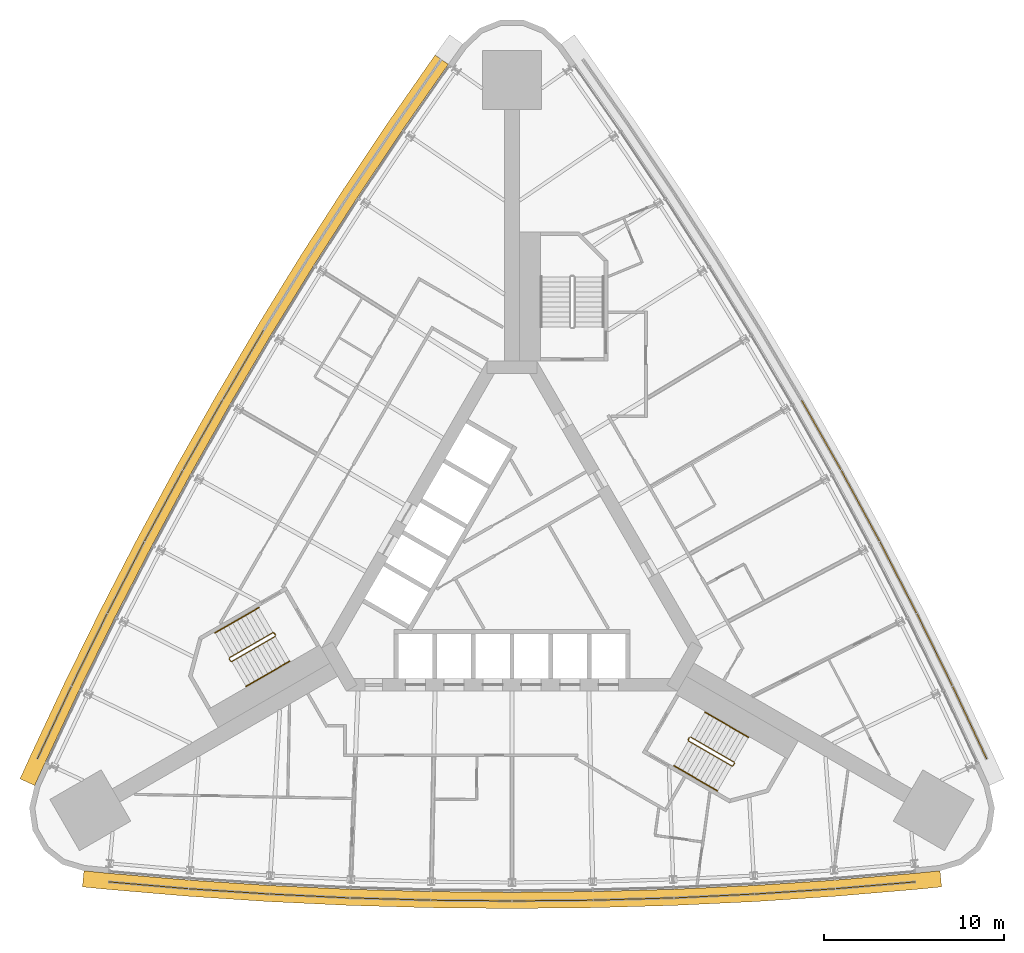
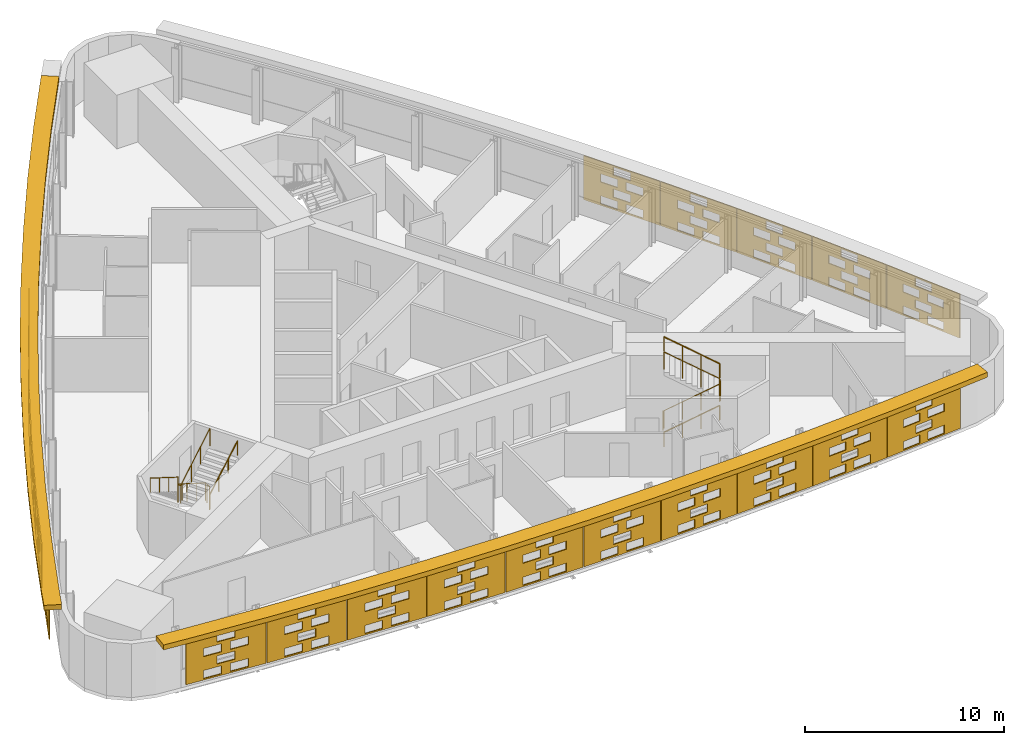
# One storey, part 14 of 15: 23 shading devices, 6 railings.
"""IFC4 building model written with IfcOpenShell, lengths in metres."""

from ifc_helpers import new_model, si_unit, direction, frame, origin, origin_2d, place, context, subcontext, project, spatial, polyline, circle, outline, extrude, material, material_profile, profile_set, type_object, element, save


model = new_model("IFC4")

# Units and contexts
model_context = context("Model", 3, precision=1e-05, world=origin(), true_north=direction((0.0, 1.0)))
body_context = subcontext(model_context, "Body", "Model", "MODEL_VIEW")
ifc_project = project(units=[si_unit("LENGTHUNIT", "METRE"), si_unit("AREAUNIT", "SQUARE_METRE"), si_unit("VOLUMEUNIT", "CUBIC_METRE"), si_unit("PLANEANGLEUNIT", "RADIAN"), si_unit("MASSUNIT", "GRAM", prefix="KILO")], contexts=[model_context])

# Site, building, storey
site_placement = place(None, origin())
site = spatial("IfcSite", under=ifc_project, at=site_placement, CompositionType="ELEMENT")
building_placement = place(site_placement, origin())
building = spatial("IfcBuilding", under=site, at=building_placement, Name="Noor Cloister Tower", CompositionType="ELEMENT")
storey_placement = place(building_placement, frame((0.0, 0.0, 49.199951171875)))
storey = spatial("IfcBuildingStorey", under=building, at=storey_placement, Name="L12", CompositionType="ELEMENT", Elevation=49.199951171875)

# Shading devices
ifc_material_1 = material(Name="Limestone", Category="masonry")
ifc_material_profile = material_profile(ifc_material_1, outline(polyline([(-2.22998046875, -1.35009765625), (2.22998046875, -1.35009765625), (2.22998046875, 1.35009765625), (-2.22998046875, 1.35009765625), (-2.22998046875, -1.35009765625)]), holes=[polyline([(-1.25, -1.263427734375), (-0.25, -1.263427734375), (-0.25, -0.76171875), (-1.25, -0.76171875), (-1.25, -1.263427734375)]), polyline([(0.25, -1.263427734375), (1.25, -1.263427734375), (1.25, -0.76171875), (0.25, -0.76171875), (0.25, -1.263427734375)]), polyline([(-0.5, -0.58837890625), (0.5, -0.58837890625), (0.5, -0.086669921875), (-0.5, -0.086669921875), (-0.5, -0.58837890625)]), polyline([(-1.25, 0.086669921875), (-0.25, 0.086669921875), (-0.25, 0.58837890625), (-1.25, 0.58837890625), (-1.25, 0.086669921875)]), polyline([(0.25, 0.086669921875), (1.25, 0.086669921875), (1.25, 0.58837890625), (0.25, 0.58837890625), (0.25, 0.086669921875)]), polyline([(-0.5, 0.76171875), (0.5, 0.76171875), (0.5, 1.263427734375), (-0.5, 1.263427734375), (-0.5, 0.76171875)])]), Name="Woven screen 25 percent open")
ifc_profile_set = profile_set([ifc_material_profile], Name="Limestone")
shading_device_type_1 = type_object("IfcShadingDeviceType", Name="SCREEN woven limestone 25 percent open", PredefinedType="USERDEFINED", material=ifc_profile_set)
for number, where, z_axis, x_axis, name in (
    (1, (-14.9462890625, 11.232177734375, 1.85009765625), (-0.863187603129, 0.504883315038, 0.0), (-0.504883315038, -0.863187603129, 0.0), "SCREEN L12 5"),
    (2, (-17.200439453125, 7.327880859375, 1.85009765625), (-0.87048706901, 0.492191286683, 0.0), (-0.492191286683, -0.87048706901, 0.0), "SCREEN L12 6"),
    (3, (-19.38037109375, 3.381591796875, 1.85009765625), (-0.879291966537, 0.476283148541, 0.0), (-0.476283148541, -0.879291966537, 0.0), "SCREEN L12 7"),
):
    element("IfcShadingDevice", number, at=place(storey_placement, frame(where, z_axis=z_axis, x_axis=x_axis)), inside=storey, type_object=shading_device_type_1, Name=name, ObjectType="SCREEN", PredefinedType="USERDEFINED", context=body_context, shape_type="SweptSolid", body=[
        extrude(outline(polyline([(-2.22998046875, -1.35009765625), (2.22998046875, -1.35009765625), (2.22998046875, 1.35009765625), (-2.22998046875, 1.35009765625), (-2.22998046875, -1.35009765625)]), holes=[polyline([(-1.25, -1.263427734375), (-0.25, -1.263427734375), (-0.25, -0.76171875), (-1.25, -0.76171875), (-1.25, -1.263427734375)]), polyline([(0.25, -1.263427734375), (1.25, -1.263427734375), (1.25, -0.76171875), (0.25, -0.76171875), (0.25, -1.263427734375)]), polyline([(-0.5, -0.58837890625), (0.5, -0.58837890625), (0.5, -0.086669921875), (-0.5, -0.086669921875), (-0.5, -0.58837890625)]), polyline([(-1.25, 0.086669921875), (-0.25, 0.086669921875), (-0.25, 0.58837890625), (-1.25, 0.58837890625), (-1.25, 0.086669921875)]), polyline([(0.25, 0.086669921875), (1.25, 0.086669921875), (1.25, 0.58837890625), (0.25, 0.58837890625), (0.25, 0.086669921875)]), polyline([(-0.5, 0.76171875), (0.5, 0.76171875), (0.5, 1.263427734375), (-0.5, 1.263427734375), (-0.5, 0.76171875)])]), origin(), (0.0, 0.0, 1.0), 0.06005859375),
    ])
for number, where, z_axis, x_axis, name in (
    (4, (-21.485107421875, -0.60498046875, 1.85009765625), (-0.88947737876, 0.456979203766, 0.0), (-0.456979203766, -0.88947737876, 0.0), "SCREEN L12 8"),
    (5, (-23.51416015625, -4.630859375, 1.85009765625), (-0.897667610562, 0.440673190639, 0.0), (-0.440673190639, -0.897667610562, 0.0), "SCREEN L12 9"),
    (6, (-25.466796875, -8.6943359375, 1.85009765625), (-0.905556888257, 0.424224848553, 0.0), (-0.424224848553, -0.905556888257, 0.0), "SCREEN L12 10"),
):
    element("IfcShadingDevice", number, at=place(storey_placement, frame(where, z_axis=z_axis, x_axis=x_axis)), inside=storey, type_object=shading_device_type_1, Name=name, ObjectType="SCREEN", PredefinedType="USERDEFINED", context=body_context, shape_type="SweptSolid", body=[
        extrude(outline(polyline([(-2.22998046875, -1.35009765625), (2.22998046875, -1.35009765625), (2.22998046875, 1.35009765625), (-2.22998046875, 1.35009765625), (-2.22998046875, -1.35009765625)]), holes=[polyline([(-1.25, -1.263427734375), (-0.25, -1.263427734375), (-0.25, -0.76171875), (-1.25, -0.76171875), (-1.25, -1.263427734375)]), polyline([(0.25, -1.263427734375), (1.25, -1.263427734375), (1.25, -0.76171875), (0.25, -0.76171875), (0.25, -1.263427734375)]), polyline([(-0.5, -0.58837890625), (0.5, -0.58837890625), (0.5, -0.086669921875), (-0.5, -0.086669921875), (-0.5, -0.58837890625)]), polyline([(-1.25, 0.086669921875), (-0.25, 0.086669921875), (-0.25, 0.58837890625), (-1.25, 0.58837890625), (-1.25, 0.086669921875)]), polyline([(0.25, 0.086669921875), (1.25, 0.086669921875), (1.25, 0.58837890625), (0.25, 0.58837890625), (0.25, 0.086669921875)]), polyline([(-0.5, 0.76171875), (0.5, 0.76171875), (0.5, 1.263427734375), (-0.5, 1.263427734375), (-0.5, 0.76171875)])]), origin(), (0.0, 0.0, 1.0), 0.059814453125),
    ])
for number, where, z_axis, x_axis, name in (
    (7, (-20.262939453125, -17.70751953125, 1.85009765625), (-0.085401141346, -0.996346649042, 0.0), (0.996346649042, -0.085401141346, 0.0), "SCREEN L12 1"),
    (8, (-15.767578125, -18.04833984375, 1.85009765625), (-0.065167304621, -0.997874352015, 0.0), (0.997874352015, -0.065167304621, 0.0), "SCREEN L12 2"),
):
    element("IfcShadingDevice", number, at=place(storey_placement, frame(where, z_axis=z_axis, x_axis=x_axis)), inside=storey, type_object=shading_device_type_1, Name=name, ObjectType="SCREEN", PredefinedType="USERDEFINED", context=body_context, shape_type="SweptSolid", body=[
        extrude(outline(polyline([(-2.22998046875, -1.35009765625), (2.22998046875, -1.35009765625), (2.22998046875, 1.35009765625), (-2.22998046875, 1.35009765625), (-2.22998046875, -1.35009765625)]), holes=[polyline([(-1.25, -1.263427734375), (-0.25, -1.263427734375), (-0.25, -0.76171875), (-1.25, -0.76171875), (-1.25, -1.263427734375)]), polyline([(0.25, -1.263427734375), (1.25, -1.263427734375), (1.25, -0.76171875), (0.25, -0.76171875), (0.25, -1.263427734375)]), polyline([(-0.5, -0.58837890625), (0.5, -0.58837890625), (0.5, -0.086669921875), (-0.5, -0.086669921875), (-0.5, -0.58837890625)]), polyline([(-1.25, 0.086669921875), (-0.25, 0.086669921875), (-0.25, 0.58837890625), (-1.25, 0.58837890625), (-1.25, 0.086669921875)]), polyline([(0.25, 0.086669921875), (1.25, 0.086669921875), (1.25, 0.58837890625), (0.25, 0.58837890625), (0.25, 0.086669921875)]), polyline([(-0.5, 0.76171875), (0.5, 0.76171875), (0.5, 1.263427734375), (-0.5, 1.263427734375), (-0.5, 0.76171875)])]), origin(), (0.0, 0.0, 1.0), 0.06005859375),
    ])
shading_device_1_placement = place(storey_placement, frame((-11.2666015625, -18.30419921875, 1.85009765625), z_axis=(-0.048920946303, -0.998802653687, 0.0), x_axis=(0.998802653687, -0.048920946303, 0.0)))
element("IfcShadingDevice", 9, at=shading_device_1_placement, inside=storey, type_object=shading_device_type_1, Name="SCREEN L12 3", ObjectType="SCREEN", PredefinedType="USERDEFINED", context=body_context, shape_type="SweptSolid", body=[
    extrude(outline(polyline([(-2.22998046875, -1.35009765625), (2.22998046875, -1.35009765625), (2.22998046875, 1.35009765625), (-2.22998046875, 1.35009765625), (-2.22998046875, -1.35009765625)]), holes=[polyline([(-1.25, -1.263427734375), (-0.25, -1.263427734375), (-0.25, -0.76171875), (-1.25, -0.76171875), (-1.25, -1.263427734375)]), polyline([(0.25, -1.263427734375), (1.25, -1.263427734375), (1.25, -0.76171875), (0.25, -0.76171875), (0.25, -1.263427734375)]), polyline([(-0.5, -0.58837890625), (0.5, -0.58837890625), (0.5, -0.086669921875), (-0.5, -0.086669921875), (-0.5, -0.58837890625)]), polyline([(-1.25, 0.086669921875), (-0.25, 0.086669921875), (-0.25, 0.58837890625), (-1.25, 0.58837890625), (-1.25, 0.086669921875)]), polyline([(0.25, 0.086669921875), (1.25, 0.086669921875), (1.25, 0.58837890625), (0.25, 0.58837890625), (0.25, 0.086669921875)]), polyline([(-0.5, 0.76171875), (0.5, 0.76171875), (0.5, 1.263427734375), (-0.5, 1.263427734375), (-0.5, 0.76171875)])]), origin(), (0.0, 0.0, 1.0), 0.059814453125),
])
for number, where, z_axis, x_axis, name in (
    (10, (-6.761474609375, -18.474609375, 1.85009765625), (-0.028443771376, -0.999595394082, 0.0), (0.999595394082, -0.028443771376, 0.0), "SCREEN L12 4"),
    (11, (-2.254150390625, -18.559814453125, 1.85009765625), (-0.008129812622, -0.999966952527, 0.0), (0.999966952527, -0.008129812622, 0.0), "SCREEN L12 5"),
    (12, (2.254150390625, -18.559814453125, 1.85009765625), (0.008129812622, -0.999966952527, 0.0), (0.999966952527, 0.008129812622, 0.0), "SCREEN L12 6"),
    (13, (6.761474609375, -18.474609375, 1.85009765625), (0.028443771376, -0.999595394082, 0.0), (0.999595394082, 0.028443771376, 0.0), "SCREEN L12 7"),
):
    element("IfcShadingDevice", number, at=place(storey_placement, frame(where, z_axis=z_axis, x_axis=x_axis)), inside=storey, type_object=shading_device_type_1, Name=name, ObjectType="SCREEN", PredefinedType="USERDEFINED", context=body_context, shape_type="SweptSolid", body=[
        extrude(outline(polyline([(-2.22998046875, -1.35009765625), (2.22998046875, -1.35009765625), (2.22998046875, 1.35009765625), (-2.22998046875, 1.35009765625), (-2.22998046875, -1.35009765625)]), holes=[polyline([(-1.25, -1.263427734375), (-0.25, -1.263427734375), (-0.25, -0.76171875), (-1.25, -0.76171875), (-1.25, -1.263427734375)]), polyline([(0.25, -1.263427734375), (1.25, -1.263427734375), (1.25, -0.76171875), (0.25, -0.76171875), (0.25, -1.263427734375)]), polyline([(-0.5, -0.58837890625), (0.5, -0.58837890625), (0.5, -0.086669921875), (-0.5, -0.086669921875), (-0.5, -0.58837890625)]), polyline([(-1.25, 0.086669921875), (-0.25, 0.086669921875), (-0.25, 0.58837890625), (-1.25, 0.58837890625), (-1.25, 0.086669921875)]), polyline([(0.25, 0.086669921875), (1.25, 0.086669921875), (1.25, 0.58837890625), (0.25, 0.58837890625), (0.25, 0.086669921875)]), polyline([(-0.5, 0.76171875), (0.5, 0.76171875), (0.5, 1.263427734375), (-0.5, 1.263427734375), (-0.5, 0.76171875)])]), origin(), (0.0, 0.0, 1.0), 0.06005859375),
    ])
shading_device_2_placement = place(storey_placement, frame((11.2666015625, -18.30419921875, 1.85009765625), z_axis=(0.048920946303, -0.998802653687, 0.0), x_axis=(0.998802653687, 0.048920946303, 0.0)))
element("IfcShadingDevice", 14, at=shading_device_2_placement, inside=storey, type_object=shading_device_type_1, Name="SCREEN L12 8", ObjectType="SCREEN", PredefinedType="USERDEFINED", context=body_context, shape_type="SweptSolid", body=[
    extrude(outline(polyline([(-2.22998046875, -1.35009765625), (2.22998046875, -1.35009765625), (2.22998046875, 1.35009765625), (-2.22998046875, 1.35009765625), (-2.22998046875, -1.35009765625)]), holes=[polyline([(-1.25, -1.263427734375), (-0.25, -1.263427734375), (-0.25, -0.76171875), (-1.25, -0.76171875), (-1.25, -1.263427734375)]), polyline([(0.25, -1.263427734375), (1.25, -1.263427734375), (1.25, -0.76171875), (0.25, -0.76171875), (0.25, -1.263427734375)]), polyline([(-0.5, -0.58837890625), (0.5, -0.58837890625), (0.5, -0.086669921875), (-0.5, -0.086669921875), (-0.5, -0.58837890625)]), polyline([(-1.25, 0.086669921875), (-0.25, 0.086669921875), (-0.25, 0.58837890625), (-1.25, 0.58837890625), (-1.25, 0.086669921875)]), polyline([(0.25, 0.086669921875), (1.25, 0.086669921875), (1.25, 0.58837890625), (0.25, 0.58837890625), (0.25, 0.086669921875)]), polyline([(-0.5, 0.76171875), (0.5, 0.76171875), (0.5, 1.263427734375), (-0.5, 1.263427734375), (-0.5, 0.76171875)])]), origin(), (0.0, 0.0, 1.0), 0.059814453125),
])
for number, where, z_axis, x_axis, name in (
    (15, (15.767578125, -18.04833984375, 1.85009765625), (0.065167304621, -0.997874352015, 0.0), (0.997874352015, 0.065167304621, 0.0), "SCREEN L12 9"),
    (16, (20.262939453125, -17.70751953125, 1.85009765625), (0.085401141346, -0.996346649042, 0.0), (0.996346649042, 0.085401141346, 0.0), "SCREEN L12 10"),
):
    element("IfcShadingDevice", number, at=place(storey_placement, frame(where, z_axis=z_axis, x_axis=x_axis)), inside=storey, type_object=shading_device_type_1, Name=name, ObjectType="SCREEN", PredefinedType="USERDEFINED", context=body_context, shape_type="SweptSolid", body=[
        extrude(outline(polyline([(-2.22998046875, -1.35009765625), (2.22998046875, -1.35009765625), (2.22998046875, 1.35009765625), (-2.22998046875, 1.35009765625), (-2.22998046875, -1.35009765625)]), holes=[polyline([(-1.25, -1.263427734375), (-0.25, -1.263427734375), (-0.25, -0.76171875), (-1.25, -0.76171875), (-1.25, -1.263427734375)]), polyline([(0.25, -1.263427734375), (1.25, -1.263427734375), (1.25, -0.76171875), (0.25, -0.76171875), (0.25, -1.263427734375)]), polyline([(-0.5, -0.58837890625), (0.5, -0.58837890625), (0.5, -0.086669921875), (-0.5, -0.086669921875), (-0.5, -0.58837890625)]), polyline([(-1.25, 0.086669921875), (-0.25, 0.086669921875), (-0.25, 0.58837890625), (-1.25, 0.58837890625), (-1.25, 0.086669921875)]), polyline([(0.25, 0.086669921875), (1.25, 0.086669921875), (1.25, 0.58837890625), (0.25, 0.58837890625), (0.25, 0.086669921875)]), polyline([(-0.5, 0.76171875), (0.5, 0.76171875), (0.5, 1.263427734375), (-0.5, 1.263427734375), (-0.5, 0.76171875)])]), origin(), (0.0, 0.0, 1.0), 0.06005859375),
    ])
for number, where, z_axis, x_axis, name in (
    (17, (25.466796875, -8.6943359375, 1.85009765625), (0.905556888257, 0.424224848553, 0.0), (-0.424224848553, 0.905556888257, 0.0), "SCREEN L12 1"),
    (18, (23.51416015625, -4.630859375, 1.85009765625), (0.897667610562, 0.440673190639, 0.0), (-0.440673190639, 0.897667610562, 0.0), "SCREEN L12 2"),
    (19, (21.485107421875, -0.60498046875, 1.85009765625), (0.88947737876, 0.456979203766, 0.0), (-0.456979203766, 0.88947737876, 0.0), "SCREEN L12 3"),
):
    element("IfcShadingDevice", number, at=place(storey_placement, frame(where, z_axis=z_axis, x_axis=x_axis)), inside=storey, type_object=shading_device_type_1, Name=name, ObjectType="SCREEN", PredefinedType="USERDEFINED", context=body_context, shape_type="SweptSolid", body=[
        extrude(outline(polyline([(-2.22998046875, -1.35009765625), (2.22998046875, -1.35009765625), (2.22998046875, 1.35009765625), (-2.22998046875, 1.35009765625), (-2.22998046875, -1.35009765625)]), holes=[polyline([(-1.25, -1.263427734375), (-0.25, -1.263427734375), (-0.25, -0.76171875), (-1.25, -0.76171875), (-1.25, -1.263427734375)]), polyline([(0.25, -1.263427734375), (1.25, -1.263427734375), (1.25, -0.76171875), (0.25, -0.76171875), (0.25, -1.263427734375)]), polyline([(-0.5, -0.58837890625), (0.5, -0.58837890625), (0.5, -0.086669921875), (-0.5, -0.086669921875), (-0.5, -0.58837890625)]), polyline([(-1.25, 0.086669921875), (-0.25, 0.086669921875), (-0.25, 0.58837890625), (-1.25, 0.58837890625), (-1.25, 0.086669921875)]), polyline([(0.25, 0.086669921875), (1.25, 0.086669921875), (1.25, 0.58837890625), (0.25, 0.58837890625), (0.25, 0.086669921875)]), polyline([(-0.5, 0.76171875), (0.5, 0.76171875), (0.5, 1.263427734375), (-0.5, 1.263427734375), (-0.5, 0.76171875)])]), origin(), (0.0, 0.0, 1.0), 0.059814453125),
    ])
for number, where, z_axis, x_axis, name in (
    (20, (19.38037109375, 3.381591796875, 1.85009765625), (0.879291966537, 0.476283148541, 0.0), (-0.476283148541, 0.879291966537, 0.0), "SCREEN L12 4"),
    (21, (17.200439453125, 7.327880859375, 1.85009765625), (0.87048706901, 0.492191286683, 0.0), (-0.492191286683, 0.87048706901, 0.0), "SCREEN L12 5"),
):
    element("IfcShadingDevice", number, at=place(storey_placement, frame(where, z_axis=z_axis, x_axis=x_axis)), inside=storey, type_object=shading_device_type_1, Name=name, ObjectType="SCREEN", PredefinedType="USERDEFINED", context=body_context, shape_type="SweptSolid", body=[
        extrude(outline(polyline([(-2.22998046875, -1.35009765625), (2.22998046875, -1.35009765625), (2.22998046875, 1.35009765625), (-2.22998046875, 1.35009765625), (-2.22998046875, -1.35009765625)]), holes=[polyline([(-1.25, -1.263427734375), (-0.25, -1.263427734375), (-0.25, -0.76171875), (-1.25, -0.76171875), (-1.25, -1.263427734375)]), polyline([(0.25, -1.263427734375), (1.25, -1.263427734375), (1.25, -0.76171875), (0.25, -0.76171875), (0.25, -1.263427734375)]), polyline([(-0.5, -0.58837890625), (0.5, -0.58837890625), (0.5, -0.086669921875), (-0.5, -0.086669921875), (-0.5, -0.58837890625)]), polyline([(-1.25, 0.086669921875), (-0.25, 0.086669921875), (-0.25, 0.58837890625), (-1.25, 0.58837890625), (-1.25, 0.086669921875)]), polyline([(0.25, 0.086669921875), (1.25, 0.086669921875), (1.25, 0.58837890625), (0.25, 0.58837890625), (0.25, 0.086669921875)]), polyline([(-0.5, 0.76171875), (0.5, 0.76171875), (0.5, 1.263427734375), (-0.5, 1.263427734375), (-0.5, 0.76171875)])]), origin(), (0.0, 0.0, 1.0), 0.06005859375),
    ])
ifc_material_2 = material(Name="Limestone", Category="masonry")
shading_device_type_2 = type_object("IfcShadingDeviceType", Name="SUNSHADE limestone band 900", PredefinedType="USERDEFINED", material=ifc_material_2)
shading_device_3_placement = place(storey_placement, frame((0.0, 0.0, 3.300048828125)))
element("IfcShadingDevice", 22, at=shading_device_3_placement, inside=storey, type_object=shading_device_type_2, Name="SUNSHADE L12 1", ObjectType="SUNSHADE", PredefinedType="USERDEFINED", context=body_context, shape_type="SweptSolid", body=[
    extrude(outline(polyline([(-4.286376953125, 28.505126953125), (-6.864501953125, 24.806396484375), (-9.376708984375, 21.052734375), (-11.817626953125, 17.251953125), (-14.18603515625, 13.40576171875), (-16.4814453125, 9.515625), (-18.702880859375, 5.58251953125), (-20.849365234375, 1.6083984375), (-22.92041015625, -2.40576171875), (-24.915283203125, -6.45849609375), (-26.831787109375, -10.54541015625), (-27.4052734375, -11.808837890625), (-26.585693359375, -12.180908203125), (-26.014404296875, -10.922607421875), (-24.10400390625, -6.848388671875), (-22.11669921875, -2.81103515625), (-20.053466796875, 1.18798828125), (-17.9150390625, 5.1474609375), (-15.7021484375, 9.065673828125), (-13.415283203125, 12.941162109375), (-11.0556640625, 16.77294921875), (-8.6240234375, 20.55908203125), (-6.12109375, 24.298828125), (-3.548095703125, 27.990478515625), (-4.286376953125, 28.505126953125)])), origin(), (0.0, 0.0, 1.0), 0.300048828125),
])
shading_device_4_placement = place(storey_placement, frame((0.0, 0.0, 3.300048828125)))
element("IfcShadingDevice", 23, at=shading_device_4_placement, inside=storey, type_object=shading_device_type_2, Name="SUNSHADE L12 2", ObjectType="SUNSHADE", PredefinedType="USERDEFINED", context=body_context, shape_type="SweptSolid", body=[
    extrude(outline(polyline([(-23.929443359375, -17.8291015625), (-22.548583984375, -17.964111328125), (-18.05078125, -18.347900390625), (-13.543701171875, -18.646728515625), (-9.031982421875, -18.8603515625), (-4.516845703125, -18.988525390625), (0.0, -19.03125), (4.516845703125, -18.988525390625), (9.031982421875, -18.8603515625), (13.543701171875, -18.646728515625), (18.05078125, -18.347900390625), (22.548583984375, -17.964111328125), (23.929443359375, -17.8291015625), (23.841796875, -16.933349609375), (22.466552734375, -17.06787109375), (17.98291015625, -17.450439453125), (13.49267578125, -17.748291015625), (8.997802734375, -17.9609375), (4.499755859375, -18.088623046875), (0.0, -18.131103515625), (-4.499755859375, -18.088623046875), (-8.997802734375, -17.9609375), (-13.49267578125, -17.748291015625), (-17.98291015625, -17.450439453125), (-22.466552734375, -17.06787109375), (-23.841796875, -16.933349609375), (-23.929443359375, -17.8291015625)])), origin(), (0.0, 0.0, 1.0), 0.300048828125),
])

# Railings
ifc_material_3 = material(Name="Stainless steel", Category="steel")
railing_type_1 = type_object("IfcRailingType", Name="Stair guard 1100", PredefinedType="GUARDRAIL", material=ifc_material_3)
railing_1_placement = place(storey_placement, frame((-13.241455078125, -3.677734375, 0.0)))
element("IfcRailing", 24, at=railing_1_placement, inside=storey, type_object=railing_type_1, Name="Stair guard ST2 L12", PredefinedType="GUARDRAIL", context=body_context, shape_type="SweptSolid", body=[
    extrude(circle(Radius=0.02392578125, at=origin_2d()), frame((0.0, 0.0, 1.076171875), z_axis=(0.499112439033, -0.866537231285, 0.0), x_axis=(0.866537231285, 0.499112439033, 0.0)), (0.0, 0.0, 1.0), 0.150146484375),
    extrude(circle(Radius=0.02392578125, at=origin_2d()), frame((0.074951171875, -0.130126953125, 1.076171875), z_axis=(-0.544565797804, 0.563119998752, 0.621565731736), x_axis=(-0.718850276695, -0.695164929852, 0.0)), (0.0, 0.0, 1.0), 0.26318359375),
    extrude(circle(Radius=0.02392578125, at=origin_2d()), frame((-0.068359375, 0.01806640625, 1.23974609375), z_axis=(-0.747689811644, -0.431660630283, 0.504607813879), x_axis=(0.49998411664, -0.866034573852, 0.0)), (0.0, 0.0, 1.0), 3.2431640625),
    extrude(circle(Radius=0.02392578125, at=origin_2d()), frame((-2.4931640625, -1.3818359375, 2.8759765625), z_axis=(-0.258736085224, -0.965948051503, 0.0), x_axis=(0.965948051503, -0.258736085224, 0.0)), (0.0, 0.0, 1.0), 0.07080078125),
    extrude(circle(Radius=0.02392578125, at=origin_2d()), frame((-2.511474609375, -1.4501953125, 2.8759765625), z_axis=(0.499816412211, -0.866131372301, 0.0), x_axis=(0.866131372301, 0.499816412211, 0.0)), (0.0, 0.0, 1.0), 0.14990234375),
    extrude(circle(Radius=0.02392578125, at=origin_2d()), frame((-2.4365234375, -1.580078125, 2.8759765625), z_axis=(0.383552647116, -0.102737316192, 0.917786691313), x_axis=(0.258736085224, 0.965948051503, 0.0)), (0.0, 0.0, 1.0), 0.17822265625),
    extrude(circle(Radius=0.02392578125, at=origin_2d()), frame((-2.3681640625, -1.598388671875, 3.03955078125), z_axis=(0.747665513933, 0.431721881032, 0.504591415616), x_axis=(-0.500049511043, 0.865996816683, 0.0)), (0.0, 0.0, 1.0), 3.2431640625),
    extrude(circle(Radius=0.02099609375, at=origin_2d()), origin(), (0.0, 0.0, 1.0), 1.052001953125),
    extrude(circle(Radius=0.02099609375, at=origin_2d()), frame((0.074951171875, -0.130126953125, 0.0)), (0.0, 0.0, 1.0), 1.052001953125),
    extrude(circle(Radius=0.02099609375, at=origin_2d()), frame((-0.068359375, 0.01806640625, 0.16357421875)), (0.0, 0.0, 1.0), 1.052001953125),
    extrude(circle(Radius=0.02099609375, at=origin_2d()), frame((-0.876708984375, -0.448486328125, 0.708984375)), (0.0, 0.0, 1.0), 1.052001953125),
    extrude(circle(Radius=0.02099609375, at=origin_2d()), frame((-1.684814453125, -0.915283203125, 1.254638671875)), (0.0, 0.0, 1.0), 1.052001953125),
    extrude(circle(Radius=0.02099609375, at=origin_2d()), frame((-2.4931640625, -1.3818359375, 1.800048828125)), (0.0, 0.0, 1.0), 1.052001953125),
    extrude(circle(Radius=0.02099609375, at=origin_2d()), frame((-2.511474609375, -1.4501953125, 1.800048828125)), (0.0, 0.0, 1.0), 1.052001953125),
    extrude(circle(Radius=0.02099609375, at=origin_2d()), frame((-2.4365234375, -1.580078125, 1.800048828125)), (0.0, 0.0, 1.0), 1.052001953125),
    extrude(circle(Radius=0.02099609375, at=origin_2d()), frame((-2.3681640625, -1.598388671875, 1.963623046875)), (0.0, 0.0, 1.0), 1.052001953125),
    extrude(circle(Radius=0.02099609375, at=origin_2d()), frame((-1.559814453125, -1.131591796875, 2.509033203125)), (0.0, 0.0, 1.0), 1.052001953125),
    extrude(circle(Radius=0.02099609375, at=origin_2d()), frame((-0.751708984375, -0.6650390625, 3.0546875)), (0.0, 0.0, 1.0), 1.052001953125),
    extrude(circle(Radius=0.02099609375, at=origin_2d()), frame((0.056640625, -0.1982421875, 3.60009765625)), (0.0, 0.0, 1.0), 1.052001953125),
])
railing_2_placement = place(storey_placement, frame((9.805908203125, -9.628662109375, 0.0)))
element("IfcRailing", 25, at=railing_2_placement, inside=storey, type_object=railing_type_1, Name="Stair guard ST3 L12", PredefinedType="GUARDRAIL", context=body_context, shape_type="SweptSolid", body=[
    extrude(circle(Radius=0.02392578125, at=origin_2d()), frame((0.0, 0.0, 1.076171875), z_axis=(0.499112439033, 0.866537231285, 0.0), x_axis=(-0.866537231285, 0.499112439033, 0.0)), (0.0, 0.0, 1.0), 0.150146484375),
    extrude(circle(Radius=0.02392578125, at=origin_2d()), frame((0.074951171875, 0.130126953125, 1.076171875), z_axis=(-0.215214839654, -0.753251938789, 0.621525614518), x_axis=(0.961523947641, -0.274721127897, 0.0)), (0.0, 0.0, 1.0), 0.26318359375),
    extrude(circle(Radius=0.02392578125, at=origin_2d()), frame((0.018310546875, -0.068115234375, 1.23974609375), z_axis=(0.747665513933, -0.431721881032, 0.504591415616), x_axis=(0.500049511043, 0.865996816683, 0.0)), (0.0, 0.0, 1.0), 3.2431640625),
    extrude(circle(Radius=0.02392578125, at=origin_2d()), frame((2.443115234375, -1.46826171875, 2.8759765625), z_axis=(0.965948051503, 0.258736085224, 0.0), x_axis=(-0.258736085224, 0.965948051503, 0.0)), (0.0, 0.0, 1.0), 0.07080078125),
    extrude(circle(Radius=0.02392578125, at=origin_2d()), frame((2.511474609375, -1.449951171875, 2.8759765625), z_axis=(0.499816412211, 0.866131372301, 0.0), x_axis=(-0.866131372301, 0.499816412211, 0.0)), (0.0, 0.0, 1.0), 0.14990234375),
    extrude(circle(Radius=0.02392578125, at=origin_2d()), frame((2.58642578125, -1.320068359375, 2.8759765625), z_axis=(-0.102737316192, 0.383552647116, 0.917786691313), x_axis=(-0.965948051503, -0.258736085224, 0.0)), (0.0, 0.0, 1.0), 0.17822265625),
    extrude(circle(Radius=0.02392578125, at=origin_2d()), frame((2.568115234375, -1.251708984375, 3.03955078125), z_axis=(-0.747689811644, 0.431660630283, 0.504607813879), x_axis=(-0.49998411664, -0.866034573852, 0.0)), (0.0, 0.0, 1.0), 3.2431640625),
    extrude(circle(Radius=0.02099609375, at=origin_2d()), origin(), (0.0, 0.0, 1.0), 1.052001953125),
    extrude(circle(Radius=0.02099609375, at=origin_2d()), frame((0.074951171875, 0.130126953125, 0.0)), (0.0, 0.0, 1.0), 1.052001953125),
    extrude(circle(Radius=0.02099609375, at=origin_2d()), frame((0.018310546875, -0.068115234375, 0.16357421875)), (0.0, 0.0, 1.0), 1.052001953125),
    extrude(circle(Radius=0.02099609375, at=origin_2d()), frame((0.82666015625, -0.534912109375, 0.708984375)), (0.0, 0.0, 1.0), 1.052001953125),
    extrude(circle(Radius=0.02099609375, at=origin_2d()), frame((1.634765625, -1.00146484375, 1.254638671875)), (0.0, 0.0, 1.0), 1.052001953125),
    extrude(circle(Radius=0.02099609375, at=origin_2d()), frame((2.443115234375, -1.46826171875, 1.800048828125)), (0.0, 0.0, 1.0), 1.052001953125),
    extrude(circle(Radius=0.02099609375, at=origin_2d()), frame((2.511474609375, -1.449951171875, 1.800048828125)), (0.0, 0.0, 1.0), 1.052001953125),
    extrude(circle(Radius=0.02099609375, at=origin_2d()), frame((2.58642578125, -1.320068359375, 1.800048828125)), (0.0, 0.0, 1.0), 1.052001953125),
    extrude(circle(Radius=0.02099609375, at=origin_2d()), frame((2.568115234375, -1.251708984375, 1.963623046875)), (0.0, 0.0, 1.0), 1.052001953125),
    extrude(circle(Radius=0.02099609375, at=origin_2d()), frame((1.759765625, -0.78515625, 2.509033203125)), (0.0, 0.0, 1.0), 1.052001953125),
    extrude(circle(Radius=0.02099609375, at=origin_2d()), frame((0.95166015625, -0.318359375, 3.0546875)), (0.0, 0.0, 1.0), 1.052001953125),
    extrude(circle(Radius=0.02099609375, at=origin_2d()), frame((0.143310546875, 0.148193359375, 3.60009765625)), (0.0, 0.0, 1.0), 1.052001953125),
])
ifc_material_4 = material(Name="Stainless steel", Category="steel")
railing_type_2 = type_object("IfcRailingType", Name="Stair handrail 900", PredefinedType="HANDRAIL", material=ifc_material_4)
railing_3_placement = place(storey_placement, frame((-14.10986328125, -2.27392578125, 0.16357421875)))
element("IfcRailing", 26, at=railing_3_placement, inside=storey, type_object=railing_type_2, Name="Stair handrail ST2 L12 1", PredefinedType="HANDRAIL", context=body_context, shape_type="SweptSolid", body=[
    extrude(circle(Radius=0.02392578125, at=origin_2d()), frame((0.0, 0.0, 0.8759765625), z_axis=(-0.747689811644, -0.431660630283, 0.504607813879), x_axis=(0.49998411664, -0.866034573852, 0.0)), (0.0, 0.0, 1.0), 3.2431640625),
    extrude(circle(Radius=0.02099609375, at=origin_2d()), origin(), (0.0, 0.0, 1.0), 0.851806640625),
    extrude(circle(Radius=0.02099609375, at=origin_2d()), frame((-0.808349609375, -0.466552734375, 0.54541015625)), (0.0, 0.0, 1.0), 0.851806640625),
    extrude(circle(Radius=0.02099609375, at=origin_2d()), frame((-1.616455078125, -0.933349609375, 1.091064453125)), (0.0, 0.0, 1.0), 0.851806640625),
    extrude(circle(Radius=0.02099609375, at=origin_2d()), frame((-2.4248046875, -1.39990234375, 1.636474609375)), (0.0, 0.0, 1.0), 0.851806640625),
])
railing_4_placement = place(storey_placement, frame((-14.8095703125, -6.66162109375, 1.963623046875)))
element("IfcRailing", 27, at=railing_4_placement, inside=storey, type_object=railing_type_2, Name="Stair handrail ST2 L12 2", PredefinedType="HANDRAIL", context=body_context, shape_type="SweptSolid", body=[
    extrude(circle(Radius=0.02392578125, at=origin_2d()), frame((0.0, 0.0, 0.8759765625), z_axis=(0.747689811644, 0.431660630283, 0.504607813879), x_axis=(-0.49998411664, 0.866034573852, 0.0)), (0.0, 0.0, 1.0), 3.2431640625),
    extrude(circle(Radius=0.02099609375, at=origin_2d()), origin(), (0.0, 0.0, 1.0), 0.851806640625),
    extrude(circle(Radius=0.02099609375, at=origin_2d()), frame((0.808349609375, 0.466552734375, 0.54541015625)), (0.0, 0.0, 1.0), 0.851806640625),
    extrude(circle(Radius=0.02099609375, at=origin_2d()), frame((1.616455078125, 0.933349609375, 1.091064453125)), (0.0, 0.0, 1.0), 0.851806640625),
    extrude(circle(Radius=0.02099609375, at=origin_2d()), frame((2.4248046875, 1.39990234375, 1.636474609375)), (0.0, 0.0, 1.0), 0.851806640625),
])
railing_5_placement = place(storey_placement, frame((9.024169921875, -11.08251953125, 0.16357421875)))
element("IfcRailing", 28, at=railing_5_placement, inside=storey, type_object=railing_type_2, Name="Stair handrail ST3 L12 1", PredefinedType="HANDRAIL", context=body_context, shape_type="SweptSolid", body=[
    extrude(circle(Radius=0.02392578125, at=origin_2d()), frame((0.0, 0.0, 0.8759765625), z_axis=(0.747689811644, -0.431660630283, 0.504607813879), x_axis=(0.49998411664, 0.866034573852, 0.0)), (0.0, 0.0, 1.0), 3.2431640625),
    extrude(circle(Radius=0.02099609375, at=origin_2d()), origin(), (0.0, 0.0, 1.0), 0.851806640625),
    extrude(circle(Radius=0.02099609375, at=origin_2d()), frame((0.808349609375, -0.466552734375, 0.54541015625)), (0.0, 0.0, 1.0), 0.851806640625),
    extrude(circle(Radius=0.02099609375, at=origin_2d()), frame((1.616455078125, -0.933349609375, 1.091064453125)), (0.0, 0.0, 1.0), 0.851806640625),
    extrude(circle(Radius=0.02099609375, at=origin_2d()), frame((2.4248046875, -1.39990234375, 1.636474609375)), (0.0, 0.0, 1.0), 0.851806640625),
])
railing_6_placement = place(storey_placement, frame((13.174072265625, -9.49462890625, 1.963623046875)))
element("IfcRailing", 29, at=railing_6_placement, inside=storey, type_object=railing_type_2, Name="Stair handrail ST3 L12 2", PredefinedType="HANDRAIL", context=body_context, shape_type="SweptSolid", body=[
    extrude(circle(Radius=0.02392578125, at=origin_2d()), frame((0.0, 0.0, 0.8759765625), z_axis=(-0.747689811644, 0.431660630283, 0.504607813879), x_axis=(-0.49998411664, -0.866034573852, 0.0)), (0.0, 0.0, 1.0), 3.2431640625),
    extrude(circle(Radius=0.02099609375, at=origin_2d()), origin(), (0.0, 0.0, 1.0), 0.851806640625),
    extrude(circle(Radius=0.02099609375, at=origin_2d()), frame((-0.808349609375, 0.466552734375, 0.54541015625)), (0.0, 0.0, 1.0), 0.851806640625),
    extrude(circle(Radius=0.02099609375, at=origin_2d()), frame((-1.616455078125, 0.933349609375, 1.091064453125)), (0.0, 0.0, 1.0), 0.851806640625),
    extrude(circle(Radius=0.02099609375, at=origin_2d()), frame((-2.4248046875, 1.39990234375, 1.636474609375)), (0.0, 0.0, 1.0), 0.851806640625),
])

save(model, "model.ifc")
